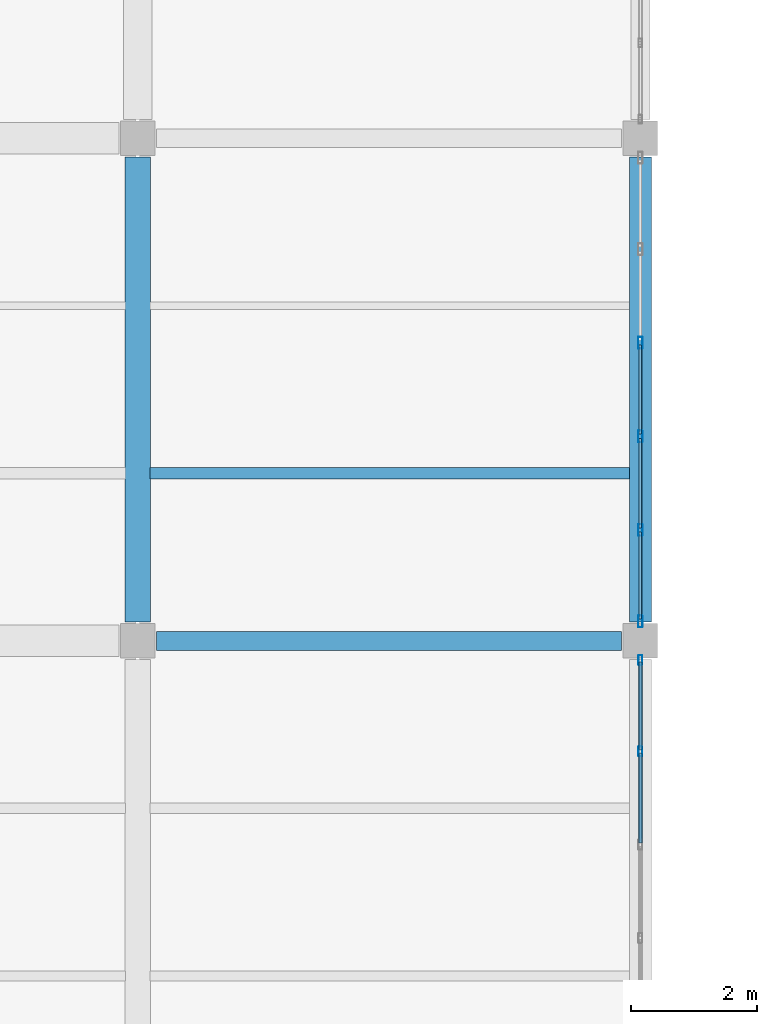
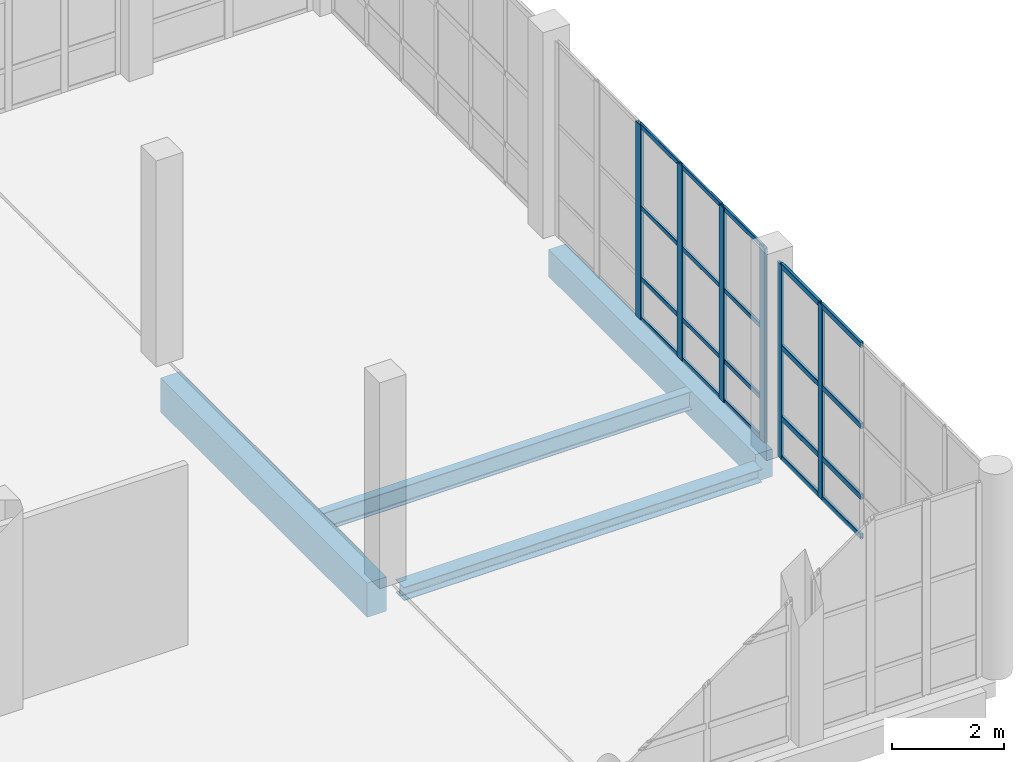
# One storey, part 30 of 183: 26 members, 4 beams, 2 elements without a shape of their own.
"""IFC4 building model written with IfcOpenShell, lengths in metres."""

from ifc_helpers import new_model, si_unit, direction, frame, origin, origin_2d, place, context, subcontext, project, spatial, rectangle, hollow_rectangle, i_section, extrude, material, material_profile, profile_set, type_object, element, aggregate, save


model = new_model("IFC4")

# Units and contexts
model_context = context("Model", 3, precision=1e-05, world=origin(), true_north=direction((0.0, 1.0)))
body_context = subcontext(model_context, "Body", "Model", "MODEL_VIEW")
ifc_project = project(units=[si_unit("LENGTHUNIT", "METRE"), si_unit("AREAUNIT", "SQUARE_METRE"), si_unit("VOLUMEUNIT", "CUBIC_METRE"), si_unit("PLANEANGLEUNIT", "RADIAN"), si_unit("MASSUNIT", "GRAM", prefix="KILO")], contexts=[model_context])

# Site, building, storey
site_placement = place(None, origin())
site = spatial("IfcSite", under=ifc_project, at=site_placement, CompositionType="ELEMENT")
building_placement = place(site_placement, origin())
building = spatial("IfcBuilding", under=site, at=building_placement, Name="Luwemba Playhouse", CompositionType="ELEMENT")
storey_placement = place(building_placement, frame((0.0, 0.0, 4.800048828125)))
storey = spatial("IfcBuildingStorey", under=building, at=storey_placement, Name="L01", CompositionType="ELEMENT", Elevation=4.800048828125)

# Beams
ifc_material_1 = material(Name="Concrete C40/50", Category="concrete")
ifc_material_profile_1 = material_profile(ifc_material_1, rectangle(XDim=0.39990234375, YDim=0.75, at=origin_2d()))
ifc_profile_set_1 = profile_set([ifc_material_profile_1], Name="Concrete C40/50")
beam_type_1 = type_object("IfcBeamType", Name="BM-RB03", PredefinedType="BEAM", material=ifc_profile_set_1)
beam_1_placement = place(storey_placement, frame((52.0, 11.300048828125, -0.625), z_axis=(0.0, 1.0, 0.0), x_axis=(-1.0, 0.0, 0.0)))
element("IfcBeam", 1, at=beam_1_placement, inside=storey, type_object=beam_type_1, Name="L01 transverse girder 0514", PredefinedType="BEAM", context=body_context, shape_type="SweptSolid", body=[
    extrude(rectangle(XDim=0.39990234375, YDim=0.75, at=origin_2d()), origin(), (0.0, 0.0, 1.0), 7.39990234375),
])
ifc_material_2 = material(Name="Steel S355", Category="steel")
ifc_material_profile_2 = material_profile(ifc_material_2, i_section(OverallWidth=0.300048828125, OverallDepth=0.2900390625, WebThickness=0.008544921875, FlangeThickness=0.013916015625, FilletRadius=0.027099609375, at=origin_2d()))
ifc_profile_set_2 = profile_set([ifc_material_profile_2], Name="Steel S355")
beam_type_2 = type_object("IfcBeamType", Name="BM-SB03", PredefinedType="BEAM", material=ifc_profile_set_2)
beam_2_placement = place(storey_placement, frame((52.300048828125, 11.0, -0.39501953125), z_axis=(1.0, 0.0, 0.0), x_axis=(0.0, 1.0, 0.0)))
element("IfcBeam", 2, at=beam_2_placement, inside=storey, type_object=beam_type_2, Name="L01 grid girder 0481", PredefinedType="BEAM", context=body_context, shape_type="SweptSolid", body=[
    extrude(i_section(OverallWidth=0.300048828125, OverallDepth=0.2900390625, WebThickness=0.008544921875, FlangeThickness=0.013916015625, FilletRadius=0.027099609375, at=origin_2d()), origin(), (0.0, 0.0, 1.0), 7.39990234375),
])
ifc_material_profile_3 = material_profile(ifc_material_2, i_section(OverallWidth=0.179931640625, OverallDepth=0.39990234375, WebThickness=0.008544921875, FlangeThickness=0.013427734375, FilletRadius=0.02099609375, at=origin_2d()))
ifc_profile_set_3 = profile_set([ifc_material_profile_3], Name="Steel S355")
beam_type_3 = type_object("IfcBeamType", Name="BM-SJ08", PredefinedType="JOIST", material=ifc_profile_set_3)
beam_3_placement = place(storey_placement, frame((52.196044921875, 13.666748046875, -0.449951171875), z_axis=(1.0, 0.0, 0.0), x_axis=(0.0, 1.0, 0.0)))
element("IfcBeam", 3, at=beam_3_placement, inside=storey, type_object=beam_type_3, Name="L01 composite floor joist 0303", PredefinedType="JOIST", context=body_context, shape_type="SweptSolid", body=[
    extrude(i_section(OverallWidth=0.179931640625, OverallDepth=0.39990234375, WebThickness=0.008544921875, FlangeThickness=0.013427734375, FilletRadius=0.02099609375, at=origin_2d()), origin(), (0.0, 0.0, 1.0), 7.633056640625),
])
ifc_material_profile_4 = material_profile(ifc_material_1, rectangle(XDim=0.35009765625, YDim=0.60009765625, at=origin_2d()))
ifc_profile_set_4 = profile_set([ifc_material_profile_4], Name="Concrete C40/50")
beam_type_4 = type_object("IfcBeamType", Name="BM-SP3", PredefinedType="SPANDREL", material=ifc_profile_set_4)
beam_4_placement = place(storey_placement, frame((60.0, 11.300048828125, -0.550048828125), z_axis=(0.0, 1.0, 0.0), x_axis=(-1.0, 0.0, 0.0)))
element("IfcBeam", 4, at=beam_4_placement, inside=storey, type_object=beam_type_4, Name="L01 transverse girder 0517", PredefinedType="SPANDREL", context=body_context, shape_type="SweptSolid", body=[
    extrude(rectangle(XDim=0.35009765625, YDim=0.60009765625, at=origin_2d()), origin(), (0.0, 0.0, 1.0), 7.39990234375),
])

# Curtain wall, members
ifc_material_3 = material(Name="Solar-control double glazing", Category="glass")
curtain_wall_type_1 = type_object("IfcCurtainWallType", Name="CW-CW106", PredefinedType="USERDEFINED", material=ifc_material_3)
curtain_wall_1_placement = place(storey_placement, origin())
curtain_wall_1 = element("IfcCurtainWall", 5, at=curtain_wall_1_placement, inside=storey, type_object=curtain_wall_type_1, Name="L01 V5W unitised curtain wall 138", ObjectType="UNITISED GLAZING", PredefinedType="USERDEFINED")
ifc_material_4 = material(Name="Aluminium 6063-T6", Category="aluminium")
ifc_material_profile_5 = material_profile(ifc_material_4, hollow_rectangle(XDim=0.06005859375, YDim=0.159912109375, WallThickness=0.00390625, InnerFilletRadius=0.006103515625, OuterFilletRadius=0.010009765625, at=origin_2d()))
ifc_profile_set_5 = profile_set([ifc_material_profile_5], Name="Aluminium 6063-T6")
member_type_1 = type_object("IfcMemberType", Name="CWM-M1", PredefinedType="MULLION", material=ifc_profile_set_5)
member_1_placement = place(storey_placement, frame((60.0, 10.695068359375, 0.0), z_axis=(0.0, 0.0, 1.0), x_axis=(1.0, 0.0, 0.0)))
member_1 = element("IfcMember", 6, at=member_1_placement, type_object=member_type_1, Name="CW106 mullion 1", PredefinedType="MULLION", context=body_context, shape_type="SweptSolid", body=[
    extrude(hollow_rectangle(XDim=0.06005859375, YDim=0.159912109375, WallThickness=0.00390625, InnerFilletRadius=0.006103515625, OuterFilletRadius=0.010009765625, at=origin_2d()), origin(), (0.0, 0.0, 1.0), 4.25),
])
member_2_placement = place(storey_placement, frame((60.0, 9.239990234375, 0.0), z_axis=(0.0, 0.0, 1.0), x_axis=(1.0, 0.0, 0.0)))
member_2 = element("IfcMember", 7, at=member_2_placement, type_object=member_type_1, Name="CW106 mullion 2", PredefinedType="MULLION", context=body_context, shape_type="SweptSolid", body=[
    extrude(hollow_rectangle(XDim=0.06005859375, YDim=0.159912109375, WallThickness=0.00390625, InnerFilletRadius=0.006103515625, OuterFilletRadius=0.010009765625, at=origin_2d()), origin(), (0.0, 0.0, 1.0), 4.25),
])

curtain_wall_type_2 = type_object("IfcCurtainWallType", Name="CW-CW73", PredefinedType="USERDEFINED", material=ifc_material_3)
curtain_wall_2_placement = place(storey_placement, origin())
curtain_wall_2 = element("IfcCurtainWall", 8, at=curtain_wall_2_placement, inside=storey, type_object=curtain_wall_type_2, Name="L01 V5W unitised curtain wall 137", ObjectType="UNITISED GLAZING", PredefinedType="USERDEFINED")
ifc_material_profile_6 = material_profile(ifc_material_4, hollow_rectangle(XDim=0.070068359375, YDim=0.18994140625, WallThickness=0.0048828125, InnerFilletRadius=0.007568359375, OuterFilletRadius=0.012451171875, at=origin_2d()))
ifc_profile_set_6 = profile_set([ifc_material_profile_6], Name="Aluminium 6063-T6")
member_type_2 = type_object("IfcMemberType", Name="CWM-M4", PredefinedType="MULLION", material=ifc_profile_set_6)
member_3_placement = place(storey_placement, frame((60.0, 15.7451171875, 0.0), z_axis=(0.0, 0.0, 1.0), x_axis=(1.0, 0.0, 0.0)))
member_3 = element("IfcMember", 9, at=member_3_placement, type_object=member_type_2, Name="CW73 mullion 3", PredefinedType="MULLION", context=body_context, shape_type="SweptSolid", body=[
    extrude(hollow_rectangle(XDim=0.070068359375, YDim=0.18994140625, WallThickness=0.0048828125, InnerFilletRadius=0.007568359375, OuterFilletRadius=0.012451171875, at=origin_2d()), origin(), (0.0, 0.0, 1.0), 4.25),
])
member_4_placement = place(storey_placement, frame((60.0, 14.2548828125, 0.0), z_axis=(0.0, 0.0, 1.0), x_axis=(1.0, 0.0, 0.0)))
member_4 = element("IfcMember", 10, at=member_4_placement, type_object=member_type_2, Name="CW73 mullion 4", PredefinedType="MULLION", context=body_context, shape_type="SweptSolid", body=[
    extrude(hollow_rectangle(XDim=0.070068359375, YDim=0.18994140625, WallThickness=0.0048828125, InnerFilletRadius=0.007568359375, OuterFilletRadius=0.012451171875, at=origin_2d()), origin(), (0.0, 0.0, 1.0), 4.25),
])
member_5_placement = place(storey_placement, frame((60.0, 12.764892578125, 0.0), z_axis=(0.0, 0.0, 1.0), x_axis=(1.0, 0.0, 0.0)))
member_5 = element("IfcMember", 11, at=member_5_placement, type_object=member_type_2, Name="CW73 mullion 5", PredefinedType="MULLION", context=body_context, shape_type="SweptSolid", body=[
    extrude(hollow_rectangle(XDim=0.070068359375, YDim=0.18994140625, WallThickness=0.0048828125, InnerFilletRadius=0.007568359375, OuterFilletRadius=0.012451171875, at=origin_2d()), origin(), (0.0, 0.0, 1.0), 4.25),
])
member_6_placement = place(storey_placement, frame((60.0, 11.31005859375, 0.0), z_axis=(0.0, 0.0, 1.0), x_axis=(1.0, 0.0, 0.0)))
member_6 = element("IfcMember", 12, at=member_6_placement, type_object=member_type_2, Name="CW73 mullion 6", PredefinedType="MULLION", context=body_context, shape_type="SweptSolid", body=[
    extrude(hollow_rectangle(XDim=0.070068359375, YDim=0.18994140625, WallThickness=0.0048828125, InnerFilletRadius=0.007568359375, OuterFilletRadius=0.012451171875, at=origin_2d()), origin(), (0.0, 0.0, 1.0), 4.25),
])

# Member
ifc_material_profile_7 = material_profile(ifc_material_4, hollow_rectangle(XDim=0.06005859375, YDim=0.1201171875, WallThickness=0.00390625, InnerFilletRadius=0.006103515625, OuterFilletRadius=0.010009765625, at=origin_2d()))
ifc_profile_set_7 = profile_set([ifc_material_profile_7], Name="Aluminium 6063-T6")
member_type_3 = type_object("IfcMemberType", Name="CWT-T1", PredefinedType="USERDEFINED", material=ifc_profile_set_7)
member_7_placement = place(storey_placement, frame((60.0, 10.6650390625, 0.030029296875), z_axis=(0.0, -1.0, 0.0), x_axis=(1.0, 0.0, 0.0)))
member_7 = element("IfcMember", 13, at=member_7_placement, type_object=member_type_3, Name="CW106 transom 1.1", ObjectType="TRANSOM", PredefinedType="USERDEFINED", context=body_context, shape_type="SweptSolid", body=[
    extrude(hollow_rectangle(XDim=0.06005859375, YDim=0.1201171875, WallThickness=0.00390625, InnerFilletRadius=0.006103515625, OuterFilletRadius=0.010009765625, at=origin_2d()), origin(), (0.0, 0.0, 1.0), 1.39501953125),
])

member_8_placement = place(storey_placement, frame((60.0, 10.6650390625, 0.89990234375), z_axis=(0.0, -1.0, 0.0), x_axis=(1.0, 0.0, 0.0)))
member_8 = element("IfcMember", 14, at=member_8_placement, type_object=member_type_3, Name="CW106 transom 1.2", ObjectType="TRANSOM", PredefinedType="USERDEFINED", context=body_context, shape_type="SweptSolid", body=[
    extrude(hollow_rectangle(XDim=0.06005859375, YDim=0.1201171875, WallThickness=0.00390625, InnerFilletRadius=0.006103515625, OuterFilletRadius=0.010009765625, at=origin_2d()), origin(), (0.0, 0.0, 1.0), 1.39501953125),
])

member_9_placement = place(storey_placement, frame((60.0, 10.6650390625, 2.449951171875), z_axis=(0.0, -1.0, 0.0), x_axis=(1.0, 0.0, 0.0)))
member_9 = element("IfcMember", 15, at=member_9_placement, type_object=member_type_3, Name="CW106 transom 1.3", ObjectType="TRANSOM", PredefinedType="USERDEFINED", context=body_context, shape_type="SweptSolid", body=[
    extrude(hollow_rectangle(XDim=0.06005859375, YDim=0.1201171875, WallThickness=0.00390625, InnerFilletRadius=0.006103515625, OuterFilletRadius=0.010009765625, at=origin_2d()), origin(), (0.0, 0.0, 1.0), 1.39501953125),
])

member_10_placement = place(storey_placement, frame((60.0, 10.6650390625, 4.219970703125), z_axis=(0.0, -1.0, 0.0), x_axis=(1.0, 0.0, 0.0)))
member_10 = element("IfcMember", 16, at=member_10_placement, type_object=member_type_3, Name="CW106 transom 1.4", ObjectType="TRANSOM", PredefinedType="USERDEFINED", context=body_context, shape_type="SweptSolid", body=[
    extrude(hollow_rectangle(XDim=0.06005859375, YDim=0.1201171875, WallThickness=0.00390625, InnerFilletRadius=0.006103515625, OuterFilletRadius=0.010009765625, at=origin_2d()), origin(), (0.0, 0.0, 1.0), 1.39501953125),
])

member_11_placement = place(storey_placement, frame((60.0, 9.2099609375, 0.030029296875), z_axis=(0.0, -1.0, 0.0), x_axis=(1.0, 0.0, 0.0)))
member_11 = element("IfcMember", 17, at=member_11_placement, type_object=member_type_3, Name="CW106 transom 2.1", ObjectType="TRANSOM", PredefinedType="USERDEFINED", context=body_context, shape_type="SweptSolid", body=[
    extrude(hollow_rectangle(XDim=0.06005859375, YDim=0.1201171875, WallThickness=0.00390625, InnerFilletRadius=0.006103515625, OuterFilletRadius=0.010009765625, at=origin_2d()), origin(), (0.0, 0.0, 1.0), 1.425048828125),
])

member_12_placement = place(storey_placement, frame((60.0, 9.2099609375, 0.89990234375), z_axis=(0.0, -1.0, 0.0), x_axis=(1.0, 0.0, 0.0)))
member_12 = element("IfcMember", 18, at=member_12_placement, type_object=member_type_3, Name="CW106 transom 2.2", ObjectType="TRANSOM", PredefinedType="USERDEFINED", context=body_context, shape_type="SweptSolid", body=[
    extrude(hollow_rectangle(XDim=0.06005859375, YDim=0.1201171875, WallThickness=0.00390625, InnerFilletRadius=0.006103515625, OuterFilletRadius=0.010009765625, at=origin_2d()), origin(), (0.0, 0.0, 1.0), 1.425048828125),
])

member_13_placement = place(storey_placement, frame((60.0, 9.2099609375, 2.449951171875), z_axis=(0.0, -1.0, 0.0), x_axis=(1.0, 0.0, 0.0)))
member_13 = element("IfcMember", 19, at=member_13_placement, type_object=member_type_3, Name="CW106 transom 2.3", ObjectType="TRANSOM", PredefinedType="USERDEFINED", context=body_context, shape_type="SweptSolid", body=[
    extrude(hollow_rectangle(XDim=0.06005859375, YDim=0.1201171875, WallThickness=0.00390625, InnerFilletRadius=0.006103515625, OuterFilletRadius=0.010009765625, at=origin_2d()), origin(), (0.0, 0.0, 1.0), 1.425048828125),
])

member_14_placement = place(storey_placement, frame((60.0, 9.2099609375, 4.219970703125), z_axis=(0.0, -1.0, 0.0), x_axis=(1.0, 0.0, 0.0)))
member_14 = element("IfcMember", 20, at=member_14_placement, type_object=member_type_3, Name="CW106 transom 2.4", ObjectType="TRANSOM", PredefinedType="USERDEFINED", context=body_context, shape_type="SweptSolid", body=[
    extrude(hollow_rectangle(XDim=0.06005859375, YDim=0.1201171875, WallThickness=0.00390625, InnerFilletRadius=0.006103515625, OuterFilletRadius=0.010009765625, at=origin_2d()), origin(), (0.0, 0.0, 1.0), 1.425048828125),
])

aggregate(curtain_wall_1, [member_1, member_2, member_7, member_8, member_9, member_10, member_11, member_12, member_13, member_14])

ifc_material_profile_8 = material_profile(ifc_material_4, hollow_rectangle(XDim=0.050048828125, YDim=0.10009765625, WallThickness=0.00341796875, InnerFilletRadius=0.00537109375, OuterFilletRadius=0.0087890625, at=origin_2d()))
ifc_profile_set_8 = profile_set([ifc_material_profile_8], Name="Aluminium 6063-T6")
member_type_4 = type_object("IfcMemberType", Name="CWT-T4", PredefinedType="USERDEFINED", material=ifc_profile_set_8)
member_15_placement = place(storey_placement, frame((60.0, 15.7099609375, 0.02490234375), z_axis=(0.0, -1.0, 0.0), x_axis=(1.0, 0.0, 0.0)))
member_15 = element("IfcMember", 21, at=member_15_placement, type_object=member_type_4, Name="CW73 transom 3.1", ObjectType="TRANSOM", PredefinedType="USERDEFINED", context=body_context, shape_type="SweptSolid", body=[
    extrude(hollow_rectangle(XDim=0.050048828125, YDim=0.10009765625, WallThickness=0.00341796875, InnerFilletRadius=0.00537109375, OuterFilletRadius=0.0087890625, at=origin_2d()), origin(), (0.0, 0.0, 1.0), 1.419921875),
])

member_16_placement = place(storey_placement, frame((60.0, 15.7099609375, 0.89990234375), z_axis=(0.0, -1.0, 0.0), x_axis=(1.0, 0.0, 0.0)))
member_16 = element("IfcMember", 22, at=member_16_placement, type_object=member_type_4, Name="CW73 transom 3.2", ObjectType="TRANSOM", PredefinedType="USERDEFINED", context=body_context, shape_type="SweptSolid", body=[
    extrude(hollow_rectangle(XDim=0.050048828125, YDim=0.10009765625, WallThickness=0.00341796875, InnerFilletRadius=0.00537109375, OuterFilletRadius=0.0087890625, at=origin_2d()), origin(), (0.0, 0.0, 1.0), 1.419921875),
])

member_17_placement = place(storey_placement, frame((60.0, 15.7099609375, 2.449951171875), z_axis=(0.0, -1.0, 0.0), x_axis=(1.0, 0.0, 0.0)))
member_17 = element("IfcMember", 23, at=member_17_placement, type_object=member_type_4, Name="CW73 transom 3.3", ObjectType="TRANSOM", PredefinedType="USERDEFINED", context=body_context, shape_type="SweptSolid", body=[
    extrude(hollow_rectangle(XDim=0.050048828125, YDim=0.10009765625, WallThickness=0.00341796875, InnerFilletRadius=0.00537109375, OuterFilletRadius=0.0087890625, at=origin_2d()), origin(), (0.0, 0.0, 1.0), 1.419921875),
])

member_18_placement = place(storey_placement, frame((60.0, 15.7099609375, 4.224853515625), z_axis=(0.0, -1.0, 0.0), x_axis=(1.0, 0.0, 0.0)))
member_18 = element("IfcMember", 24, at=member_18_placement, type_object=member_type_4, Name="CW73 transom 3.4", ObjectType="TRANSOM", PredefinedType="USERDEFINED", context=body_context, shape_type="SweptSolid", body=[
    extrude(hollow_rectangle(XDim=0.050048828125, YDim=0.10009765625, WallThickness=0.00341796875, InnerFilletRadius=0.00537109375, OuterFilletRadius=0.0087890625, at=origin_2d()), origin(), (0.0, 0.0, 1.0), 1.419921875),
])

member_19_placement = place(storey_placement, frame((60.0, 14.219970703125, 0.02490234375), z_axis=(0.0, -1.0, 0.0), x_axis=(1.0, 0.0, 0.0)))
member_19 = element("IfcMember", 25, at=member_19_placement, type_object=member_type_4, Name="CW73 transom 4.1", ObjectType="TRANSOM", PredefinedType="USERDEFINED", context=body_context, shape_type="SweptSolid", body=[
    extrude(hollow_rectangle(XDim=0.050048828125, YDim=0.10009765625, WallThickness=0.00341796875, InnerFilletRadius=0.00537109375, OuterFilletRadius=0.0087890625, at=origin_2d()), origin(), (0.0, 0.0, 1.0), 1.419921875),
])

member_20_placement = place(storey_placement, frame((60.0, 14.219970703125, 0.89990234375), z_axis=(0.0, -1.0, 0.0), x_axis=(1.0, 0.0, 0.0)))
member_20 = element("IfcMember", 26, at=member_20_placement, type_object=member_type_4, Name="CW73 transom 4.2", ObjectType="TRANSOM", PredefinedType="USERDEFINED", context=body_context, shape_type="SweptSolid", body=[
    extrude(hollow_rectangle(XDim=0.050048828125, YDim=0.10009765625, WallThickness=0.00341796875, InnerFilletRadius=0.00537109375, OuterFilletRadius=0.0087890625, at=origin_2d()), origin(), (0.0, 0.0, 1.0), 1.419921875),
])

member_21_placement = place(storey_placement, frame((60.0, 14.219970703125, 2.449951171875), z_axis=(0.0, -1.0, 0.0), x_axis=(1.0, 0.0, 0.0)))
member_21 = element("IfcMember", 27, at=member_21_placement, type_object=member_type_4, Name="CW73 transom 4.3", ObjectType="TRANSOM", PredefinedType="USERDEFINED", context=body_context, shape_type="SweptSolid", body=[
    extrude(hollow_rectangle(XDim=0.050048828125, YDim=0.10009765625, WallThickness=0.00341796875, InnerFilletRadius=0.00537109375, OuterFilletRadius=0.0087890625, at=origin_2d()), origin(), (0.0, 0.0, 1.0), 1.419921875),
])

member_22_placement = place(storey_placement, frame((60.0, 14.219970703125, 4.224853515625), z_axis=(0.0, -1.0, 0.0), x_axis=(1.0, 0.0, 0.0)))
member_22 = element("IfcMember", 28, at=member_22_placement, type_object=member_type_4, Name="CW73 transom 4.4", ObjectType="TRANSOM", PredefinedType="USERDEFINED", context=body_context, shape_type="SweptSolid", body=[
    extrude(hollow_rectangle(XDim=0.050048828125, YDim=0.10009765625, WallThickness=0.00341796875, InnerFilletRadius=0.00537109375, OuterFilletRadius=0.0087890625, at=origin_2d()), origin(), (0.0, 0.0, 1.0), 1.419921875),
])

member_23_placement = place(storey_placement, frame((60.0, 12.72998046875, 0.02490234375), z_axis=(0.0, -1.0, 0.0), x_axis=(1.0, 0.0, 0.0)))
member_23 = element("IfcMember", 29, at=member_23_placement, type_object=member_type_4, Name="CW73 transom 5.1", ObjectType="TRANSOM", PredefinedType="USERDEFINED", context=body_context, shape_type="SweptSolid", body=[
    extrude(hollow_rectangle(XDim=0.050048828125, YDim=0.10009765625, WallThickness=0.00341796875, InnerFilletRadius=0.00537109375, OuterFilletRadius=0.0087890625, at=origin_2d()), origin(), (0.0, 0.0, 1.0), 1.385009765625),
])

member_24_placement = place(storey_placement, frame((60.0, 12.72998046875, 0.89990234375), z_axis=(0.0, -1.0, 0.0), x_axis=(1.0, 0.0, 0.0)))
member_24 = element("IfcMember", 30, at=member_24_placement, type_object=member_type_4, Name="CW73 transom 5.2", ObjectType="TRANSOM", PredefinedType="USERDEFINED", context=body_context, shape_type="SweptSolid", body=[
    extrude(hollow_rectangle(XDim=0.050048828125, YDim=0.10009765625, WallThickness=0.00341796875, InnerFilletRadius=0.00537109375, OuterFilletRadius=0.0087890625, at=origin_2d()), origin(), (0.0, 0.0, 1.0), 1.385009765625),
])

member_25_placement = place(storey_placement, frame((60.0, 12.72998046875, 2.449951171875), z_axis=(0.0, -1.0, 0.0), x_axis=(1.0, 0.0, 0.0)))
member_25 = element("IfcMember", 31, at=member_25_placement, type_object=member_type_4, Name="CW73 transom 5.3", ObjectType="TRANSOM", PredefinedType="USERDEFINED", context=body_context, shape_type="SweptSolid", body=[
    extrude(hollow_rectangle(XDim=0.050048828125, YDim=0.10009765625, WallThickness=0.00341796875, InnerFilletRadius=0.00537109375, OuterFilletRadius=0.0087890625, at=origin_2d()), origin(), (0.0, 0.0, 1.0), 1.385009765625),
])

member_26_placement = place(storey_placement, frame((60.0, 12.72998046875, 4.224853515625), z_axis=(0.0, -1.0, 0.0), x_axis=(1.0, 0.0, 0.0)))
member_26 = element("IfcMember", 32, at=member_26_placement, type_object=member_type_4, Name="CW73 transom 5.4", ObjectType="TRANSOM", PredefinedType="USERDEFINED", context=body_context, shape_type="SweptSolid", body=[
    extrude(hollow_rectangle(XDim=0.050048828125, YDim=0.10009765625, WallThickness=0.00341796875, InnerFilletRadius=0.00537109375, OuterFilletRadius=0.0087890625, at=origin_2d()), origin(), (0.0, 0.0, 1.0), 1.385009765625),
])

aggregate(curtain_wall_2, [member_3, member_4, member_5, member_6, member_15, member_16, member_17, member_18, member_19, member_20, member_21, member_22, member_23, member_24, member_25, member_26])

save(model, "model.ifc")
